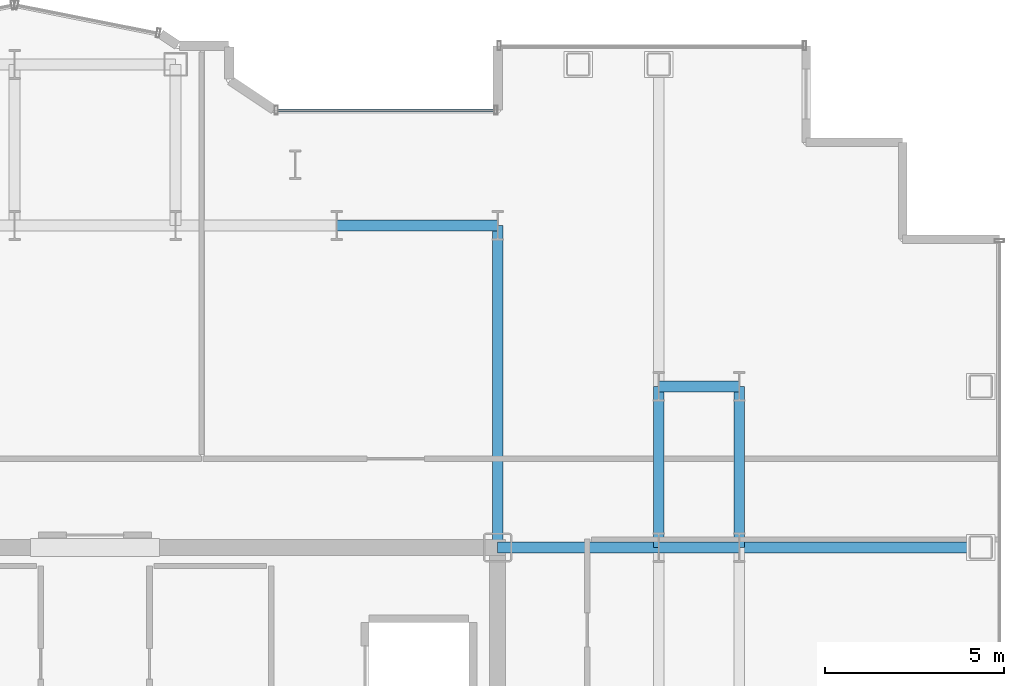
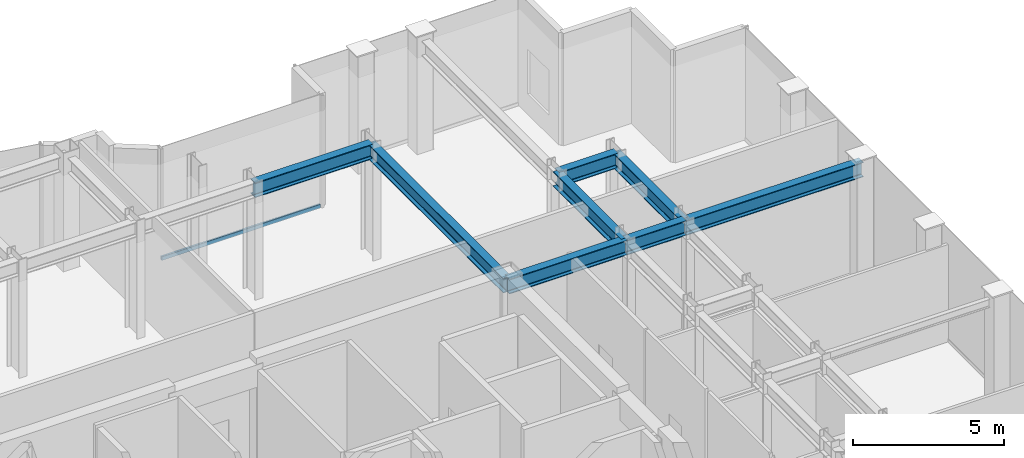
# One storey, part 11 of 20: 8 beams, 1 member, 1 element without a shape of its own.
"""IFC4 building model written with IfcOpenShell, lengths in metres."""

import ifcopenshell
import ifcopenshell.guid

model = None  # the IFC model being written
_history = None  # IfcOwnerHistory: only IFC2X3 demands one
_inside = {}  # id of a spatial element -> (the spatial element, [elements in it])
_under = {}  # id of a project, library or spatial element -> (it, [spatial elements below it])
_declared = {}  # id of a project -> (the project, [libraries it declares])
_typed = {}  # id of a type object -> (the type object, [elements of that type])
_made_of = {}  # id of a material, layer set ... -> (it, [elements and type objects made of it])


def new_model(schema):
    """Start an empty IFC model of exactly this schema.

    Asked for "IFC4X3", IfcOpenShell would pick the latest addendum, in which some entities
    have other attributes; the version numbers below select the first issue.
    IFC2X3 requires an IfcOwnerHistory on every rooted entity: one is made here for all.
    """
    global model, _history
    if schema == "IFC4X3":
        model = ifcopenshell.file(schema_version=(4, 3, 0, 0))
    else:
        model = ifcopenshell.file(schema=schema)
    _inside.clear()
    _under.clear()
    _declared.clear()
    _typed.clear()
    _made_of.clear()
    _history = None
    if model.schema == "IFC2X3":
        org = make("IfcOrganization", Name="unknown")
        user = make(
            "IfcPersonAndOrganization",
            ThePerson=make("IfcPerson", FamilyName="unknown"),
            TheOrganization=org,
        )
        app = make(
            "IfcApplication",
            ApplicationDeveloper=org,
            Version="unknown",
            ApplicationFullName="unknown",
            ApplicationIdentifier="unknown",
        )
        _history = make(
            "IfcOwnerHistory",
            OwningUser=user,
            OwningApplication=app,
            ChangeAction="ADDED",
            CreationDate=0,
        )
    return model


def make(cls, **values):
    """One entity of the class cls with the attributes given. An attribute that is None is left unset."""
    return model.create_entity(
        cls, **{name: value for name, value in values.items() if value is not None}
    )


def rooted(cls, **values):
    """An entity with a GlobalId (a new one), such as an element, a storey or a relation."""
    return make(cls, GlobalId=ifcopenshell.guid.new(), OwnerHistory=_history, **values)


def si_unit(unit_type, name, prefix=None):
    """IfcSIUnit, for example si_unit("LENGTHUNIT", "METRE", prefix="MILLI")."""
    return make("IfcSIUnit", UnitType=unit_type, Prefix=prefix, Name=name)


def assignment(units):
    """IfcUnitAssignment: the units of a project."""
    return None if units is None else make("IfcUnitAssignment", Units=units)


def point(xyz):
    """IfcCartesianPoint."""
    return None if xyz is None else make("IfcCartesianPoint", Coordinates=xyz)


def direction(xyz):
    """IfcDirection."""
    return None if xyz is None else make("IfcDirection", DirectionRatios=xyz)


def frame(location, z_axis=None, x_axis=None):
    """IfcAxis2Placement3D, a coordinate frame: its origin and axes. An axis left out is left unset."""
    return make(
        "IfcAxis2Placement3D",
        Location=point(location),
        Axis=direction(z_axis),
        RefDirection=direction(x_axis),
    )


def frame_2d(location, x_axis=None):
    """IfcAxis2Placement2D, a coordinate frame in the plane: its origin and x axis."""
    return make(
        "IfcAxis2Placement2D", Location=point(location), RefDirection=direction(x_axis)
    )


def origin():
    """The frame at (0, 0, 0) with its axes left unset."""
    return frame((0.0, 0.0, 0.0))


def origin_2d():
    """The frame at (0, 0) in the plane with its x axis left unset."""
    return frame_2d((0.0, 0.0))


def place(relative_to, where):
    """IfcLocalPlacement: puts the frame where relative to a parent placement (None: the world)."""
    return make(
        "IfcLocalPlacement", PlacementRelTo=relative_to, RelativePlacement=where
    )


def context(
    kind, dimensions, precision=None, world=None, true_north=None, identifier=None
):
    """IfcGeometricRepresentationContext, for example the 3D "Model" context."""
    return make(
        "IfcGeometricRepresentationContext",
        ContextIdentifier=identifier,
        ContextType=kind,
        CoordinateSpaceDimension=dimensions,
        Precision=precision,
        WorldCoordinateSystem=world,
        TrueNorth=true_north,
    )


def subcontext(parent, identifier, kind, view, scale=None):
    """IfcGeometricRepresentationSubContext, for example "Body" below "Model"."""
    return make(
        "IfcGeometricRepresentationSubContext",
        ContextIdentifier=identifier,
        ContextType=kind,
        ParentContext=parent,
        TargetScale=scale,
        TargetView=view,
    )


def project(units=None, contexts=None):
    """IfcProject with its units and contexts."""
    return rooted(
        "IfcProject",
        Name="project",
        RepresentationContexts=contexts,
        UnitsInContext=assignment(units),
    )


def spatial(cls, under=None, at=None, **own):
    """A site, building, storey or space (cls), placed at a placement, below another one or the project."""
    s = rooted(cls, ObjectPlacement=at, **own)
    if under is not None:
        _under.setdefault(under.id(), (under, []))[1].append(s)
    return s


def profile(cls, at=None, kind="AREA", **sizes):
    """A parametric profile (cls). Its sizes go by their IFC names, for example OverallWidth=200.0."""
    return make(cls, ProfileType=kind, Position=at, **sizes)


def hollow_rectangle(**sizes):
    """IfcRectangleHollowProfileDef."""
    return profile("IfcRectangleHollowProfileDef", **sizes)


def i_section(**sizes):
    """IfcIShapeProfileDef."""
    return profile("IfcIShapeProfileDef", **sizes)


def extrude(swept, where, along, depth):
    """IfcExtrudedAreaSolid: the profile swept, set in the frame where, extruded along a direction by depth."""
    return make(
        "IfcExtrudedAreaSolid",
        SweptArea=swept,
        Position=where,
        ExtrudedDirection=direction(along),
        Depth=depth,
    )


def shape(context_of_items, identifier, shape_type, items):
    """IfcShapeRepresentation: the items that make up one representation, for example the "Body"."""
    return make(
        "IfcShapeRepresentation",
        ContextOfItems=context_of_items,
        RepresentationIdentifier=identifier,
        RepresentationType=shape_type,
        Items=items,
    )


def source(mapping_origin, context_of_items, identifier, shape_type, items):
    """IfcRepresentationMap: a shape defined once, which mapped items show again and again."""
    return make(
        "IfcRepresentationMap",
        MappingOrigin=mapping_origin,
        MappedRepresentation=shape(context_of_items, identifier, shape_type, items),
    )


def transform(
    local_origin,
    x_axis=None,
    y_axis=None,
    z_axis=None,
    scale=None,
    scale2=None,
    scale3=None,
    uniform=True,
):
    """IfcCartesianTransformationOperator3D, or its non-uniform kind. x_axis, y_axis, z_axis: its Axis1, 2, 3."""
    if uniform:
        return make(
            "IfcCartesianTransformationOperator3D",
            Axis1=direction(x_axis),
            Axis2=direction(y_axis),
            LocalOrigin=point(local_origin),
            Scale=scale,
            Axis3=direction(z_axis),
        )
    return make(
        "IfcCartesianTransformationOperator3DnonUniform",
        Axis1=direction(x_axis),
        Axis2=direction(y_axis),
        LocalOrigin=point(local_origin),
        Scale=scale,
        Axis3=direction(z_axis),
        Scale2=scale2,
        Scale3=scale3,
    )


def mapped(mapping_source, mapping_target):
    """IfcMappedItem: shows the shape of a source again, moved by a transform."""
    return make(
        "IfcMappedItem", MappingSource=mapping_source, MappingTarget=mapping_target
    )


def material(Name=None, Category=None):
    """IfcMaterial."""
    return make("IfcMaterial", Name=Name, Category=Category)


def layer(
    of_material, thickness, ventilated=None, Name=None, Category=None, Priority=None
):
    """IfcMaterialLayer: one layer of a wall or slab, of a material (None: an air gap)."""
    return make(
        "IfcMaterialLayer",
        Material=of_material,
        LayerThickness=thickness,
        IsVentilated=ventilated,
        Name=Name,
        Category=Category,
        Priority=Priority,
    )


def layer_set(layers, Name=None):
    """IfcMaterialLayerSet."""
    return make("IfcMaterialLayerSet", MaterialLayers=layers, LayerSetName=Name)


def material_profile(
    of_material, cross_section, Name=None, Category=None, Priority=None
):
    """IfcMaterialProfile: a cross section and its material."""
    return make(
        "IfcMaterialProfile",
        Name=Name,
        Material=of_material,
        Profile=cross_section,
        Priority=Priority,
        Category=Category,
    )


def profile_set(profiles, Name=None, composite=None):
    """IfcMaterialProfileSet."""
    return make(
        "IfcMaterialProfileSet",
        Name=Name,
        MaterialProfiles=profiles,
        CompositeProfile=composite,
    )


def made_of(thing, what):
    """Note that an element or type object is made of a material, layer set ...; save() writes the relation."""
    if what is not None:
        _made_of.setdefault(what.id(), (what, []))[1].append(thing)
    return thing


def type_object(cls, material=None, **own):
    """A type object (cls), such as IfcWallType, which elements share."""
    return made_of(rooted(cls, **own), material)


def element(
    cls,
    number,
    at=None,
    inside=None,
    cuts=None,
    type_object=None,
    material=None,
    context=None,
    identifier="Body",
    shape_type=None,
    held_by="IfcProductDefinitionShape",
    body=None,
    shapes=None,
    **own,
):
    """One element of the class cls, such as IfcWall. Its Tag is "e" and its number.

    at: its placement. inside: the storey or other place that contains it. cuts: it is an
    opening in that element (IfcRelVoidsElement). A single representation is given by context,
    identifier, shape_type and body (its items); several are given by shapes. held_by: the class
    of the entity that holds the representations. save() writes the other relations.
    """
    e = rooted(cls, Tag="e%d" % number, ObjectPlacement=at, **own)
    if body is not None:
        shapes = [shape(context, identifier, shape_type, body)]
    if shapes is not None:
        e.Representation = make(held_by, Representations=shapes)
    if inside is not None:
        _inside.setdefault(inside.id(), (inside, []))[1].append(e)
    if cuts is not None:
        rooted(
            "IfcRelVoidsElement", RelatingBuildingElement=cuts, RelatedOpeningElement=e
        )
    if type_object is not None:
        _typed.setdefault(type_object.id(), (type_object, []))[1].append(e)
    return made_of(e, material)


def aggregate(whole, parts):
    """IfcRelAggregates: a whole, such as a stair, and the parts it consists of."""
    return rooted("IfcRelAggregates", RelatingObject=whole, RelatedObjects=parts)


def save(model, path):
    """Write the relations noted so far, then the file.

    IfcRelAggregates (storeys below a building ...), IfcRelContainedInSpatialStructure (elements
    in a storey), IfcRelDefinesByType, IfcRelAssociatesMaterial and IfcRelDeclares: one each for
    every whole, place, type object, material and project.
    """
    for whole, parts in _under.values():
        aggregate(whole, parts)
    for where, things in _inside.values():
        rooted(
            "IfcRelContainedInSpatialStructure",
            RelatedElements=things,
            RelatingStructure=where,
        )
    for kind, things in _typed.values():
        rooted("IfcRelDefinesByType", RelatedObjects=things, RelatingType=kind)
    for what, things in _made_of.values():
        rooted("IfcRelAssociatesMaterial", RelatedObjects=things, RelatingMaterial=what)
    for by, libraries in _declared.values():
        rooted("IfcRelDeclares", RelatingContext=by, RelatedDefinitions=libraries)
    model.write(path)


model = new_model("IFC4")

# Units and contexts
model_context = context("Model", 3, precision=1e-05, world=origin(), true_north=direction((0.0, 1.0)))
body_context = subcontext(model_context, "Body", "Model", "MODEL_VIEW")
ifc_project = project(units=[si_unit("LENGTHUNIT", "METRE"), si_unit("AREAUNIT", "SQUARE_METRE"), si_unit("VOLUMEUNIT", "CUBIC_METRE"), si_unit("PLANEANGLEUNIT", "RADIAN"), si_unit("MASSUNIT", "GRAM", prefix="KILO")], contexts=[model_context])

# Site, building, storey
site_placement = place(None, origin())
site = spatial("IfcSite", under=ifc_project, at=site_placement, CompositionType="ELEMENT")
building_placement = place(site_placement, origin())
building = spatial("IfcBuilding", under=site, at=building_placement, Name="Nefas-Gora Pilgrimage Tower", CompositionType="ELEMENT")
storey_placement = place(building_placement, frame((0.0, 0.0, 259.800048828125)))
storey = spatial("IfcBuildingStorey", under=building, at=storey_placement, Name="L65", CompositionType="ELEMENT", Elevation=259.800048828125)

# Beams
ifc_material_1 = material(Name="Steel S355", Category="steel")
ifc_material_profile_1 = material_profile(ifc_material_1, i_section(OverallWidth=0.300048828125, OverallDepth=0.60009765625, WebThickness=0.015380859375, FlangeThickness=0.030029296875, FilletRadius=0.027099609375, at=origin_2d()), Name="HEB 600")
ifc_profile_set_1 = profile_set([ifc_material_profile_1], Name="Steel S355")
beam_type = type_object("IfcBeamType", Name="BM-GIR-HEB600", PredefinedType="BEAM", material=ifc_profile_set_1)
shared_shape_1 = source(origin(), body_context, "Body", "SweptSolid", [
    extrude(i_section(OverallWidth=0.300048828125, OverallDepth=0.60009765625, WebThickness=0.015380859375, FlangeThickness=0.030029296875, FilletRadius=0.027099609375, at=origin_2d()), origin(), (0.0, 0.0, 1.0), 9.0),
])
beam_1_placement = place(storey_placement, frame((11.25, 9.0, 4.25), z_axis=(0.0, 1.0, 0.0), x_axis=(-1.0, 0.0, 0.0)))
element("IfcBeam", 1, at=beam_1_placement, inside=storey, type_object=beam_type, Name="L65 G-04 beam", PredefinedType="BEAM", context=body_context, shape_type="MappedRepresentation", body=[
    mapped(shared_shape_1, transform((0.0, 0.0, 0.0), x_axis=(1.0, 0.0, 0.0), y_axis=(0.0, 1.0, 0.0), z_axis=(0.0, 0.0, 1.0), scale=1.0)),
])
shared_shape_2 = source(origin(), body_context, "Body", "SweptSolid", [
    extrude(i_section(OverallWidth=0.300048828125, OverallDepth=0.60009765625, WebThickness=0.015380859375, FlangeThickness=0.030029296875, FilletRadius=0.027099609375, at=origin_2d()), origin(), (0.0, 0.0, 1.0), 4.5),
])
for number, where, z_axis, x_axis, name in (
    (2, (6.75, 18.0, 4.25), (1.0, 0.0, 0.0), (0.0, 1.0, 0.0), "L65 G-04 beam"),
    (3, (11.25, 9.0, 4.25), (1.0, 0.0, 0.0), (0.0, 1.0, 0.0), "L65 G-04 beam"),
    (4, (15.75, 9.0, 4.25), (0.0, 1.0, 0.0), (-1.0, 0.0, 0.0), "L65 G-04 beam"),
    (5, (18.0, 9.0, 4.25), (0.0, 1.0, 0.0), (-1.0, 0.0, 0.0), "L65 G-04 beam"),
):
    element("IfcBeam", number, at=place(storey_placement, frame(where, z_axis=z_axis, x_axis=x_axis)), inside=storey, type_object=beam_type, Name=name, PredefinedType="BEAM", context=body_context, shape_type="MappedRepresentation", body=[
        mapped(shared_shape_2, transform((0.0, 0.0, 0.0), x_axis=(1.0, 0.0, 0.0), y_axis=(0.0, 1.0, 0.0), z_axis=(0.0, 0.0, 1.0), scale=1.0)),
    ])
shared_shape_3 = source(origin(), body_context, "Body", "SweptSolid", [
    extrude(i_section(OverallWidth=0.300048828125, OverallDepth=0.60009765625, WebThickness=0.015380859375, FlangeThickness=0.030029296875, FilletRadius=0.027099609375, at=origin_2d()), origin(), (0.0, 0.0, 1.0), 6.75),
])
beam_2_placement = place(storey_placement, frame((18.0, 9.0, 4.25), z_axis=(1.0, 0.0, 0.0), x_axis=(0.0, 1.0, 0.0)))
element("IfcBeam", 6, at=beam_2_placement, inside=storey, type_object=beam_type, Name="L65 G-04 beam", PredefinedType="BEAM", context=body_context, shape_type="MappedRepresentation", body=[
    mapped(shared_shape_3, transform((0.0, 0.0, 0.0), x_axis=(1.0, 0.0, 0.0), y_axis=(0.0, 1.0, 0.0), z_axis=(0.0, 0.0, 1.0), scale=1.0)),
])
shared_shape_4 = source(origin(), body_context, "Body", "SweptSolid", [
    extrude(i_section(OverallWidth=0.300048828125, OverallDepth=0.60009765625, WebThickness=0.015380859375, FlangeThickness=0.030029296875, FilletRadius=0.027099609375, at=origin_2d()), origin(), (0.0, 0.0, 1.0), 2.25),
])
for number, where, z_axis, x_axis, name in (
    (7, (15.75, 9.0, 4.25), (1.0, 0.0, 0.0), (0.0, 1.0, 0.0), "L65 G-04 beam"),
    (8, (15.75, 13.5, 4.25), (1.0, 0.0, 0.0), (0.0, 1.0, 0.0), "L65 G-04 beam"),
):
    element("IfcBeam", number, at=place(storey_placement, frame(where, z_axis=z_axis, x_axis=x_axis)), inside=storey, type_object=beam_type, Name=name, PredefinedType="BEAM", context=body_context, shape_type="MappedRepresentation", body=[
        mapped(shared_shape_4, transform((0.0, 0.0, 0.0), x_axis=(1.0, 0.0, 0.0), y_axis=(0.0, 1.0, 0.0), z_axis=(0.0, 0.0, 1.0), scale=1.0)),
    ])

# Curtain wall, member
ifc_material_2 = material(Name="Dark ceramic-fritted solar-control aluminium-glass curtain wall", Category="aluminium")
ifc_layer = layer(ifc_material_2, 0.219970703125)
ifc_layer_set = layer_set([ifc_layer], Name="Dark ceramic-fritted solar-control aluminium-glass curtain wall")
curtain_wall_type = type_object("IfcCurtainWallType", Name="CW-SYS-5", PredefinedType="NOTDEFINED", material=ifc_layer_set)
curtain_wall_placement = place(storey_placement, origin())
curtain_wall = element("IfcCurtainWall", 9, at=curtain_wall_placement, inside=storey, type_object=curtain_wall_type, Name="L65 Unitised Curtain Wall CW5", PredefinedType="NOTDEFINED")
ifc_material_3 = material(Name="Anodised architectural aluminium", Category="aluminium")
ifc_material_profile_2 = material_profile(ifc_material_3, hollow_rectangle(XDim=0.080078125, YDim=0.159912109375, WallThickness=0.00439453125, InnerFilletRadius=0.00439453125, OuterFilletRadius=0.009033203125, at=origin_2d()), Name="ALU TRANSOM 80x160")
ifc_profile_set_2 = profile_set([ifc_material_profile_2], Name="Anodised architectural aluminium")
member_type = type_object("IfcMemberType", Name="CWM-TRN-5", PredefinedType="USERDEFINED", material=ifc_profile_set_2)
shared_shape_5 = source(origin(), body_context, "Body", "SweptSolid", [
    extrude(hollow_rectangle(XDim=0.080078125, YDim=0.159912109375, WallThickness=0.00439453125, InnerFilletRadius=0.00439453125, OuterFilletRadius=0.009033203125, at=origin_2d()), origin(), (0.0, 0.0, 1.0), 6.052001953125),
])
member_placement = place(storey_placement, frame((11.159912109375, 21.219970703125, 0.050048828125), z_axis=(-1.0, 0.0, 0.0), x_axis=(0.0, -1.0, 0.0)))
member = element("IfcMember", 10, at=member_placement, type_object=member_type, Name="CW5 Spandrel Transom", ObjectType="TRANSOM", PredefinedType="USERDEFINED", context=body_context, shape_type="MappedRepresentation", body=[
    mapped(shared_shape_5, transform((0.0, 0.0, 0.0), x_axis=(1.0, 0.0, 0.0), y_axis=(0.0, 1.0, 0.0), z_axis=(0.0, 0.0, 1.0), scale=1.0)),
])
aggregate(curtain_wall, [member])

save(model, "model.ifc")
